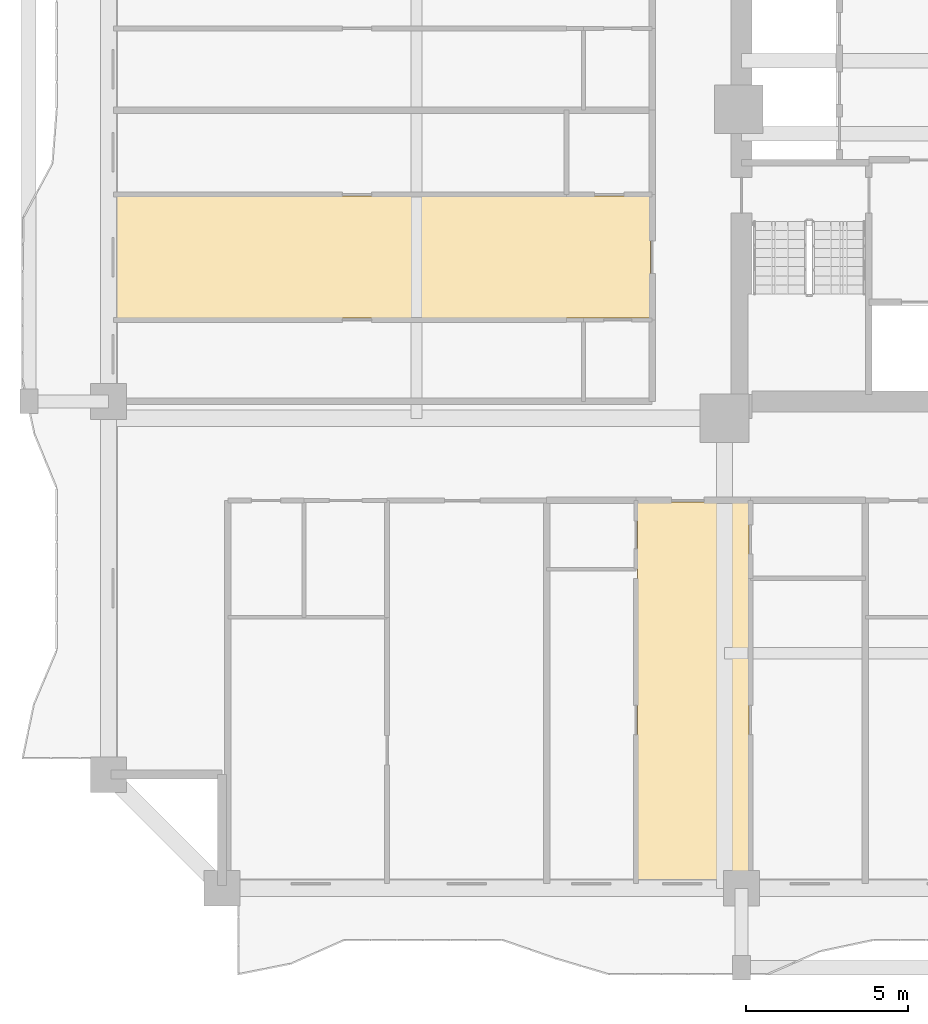
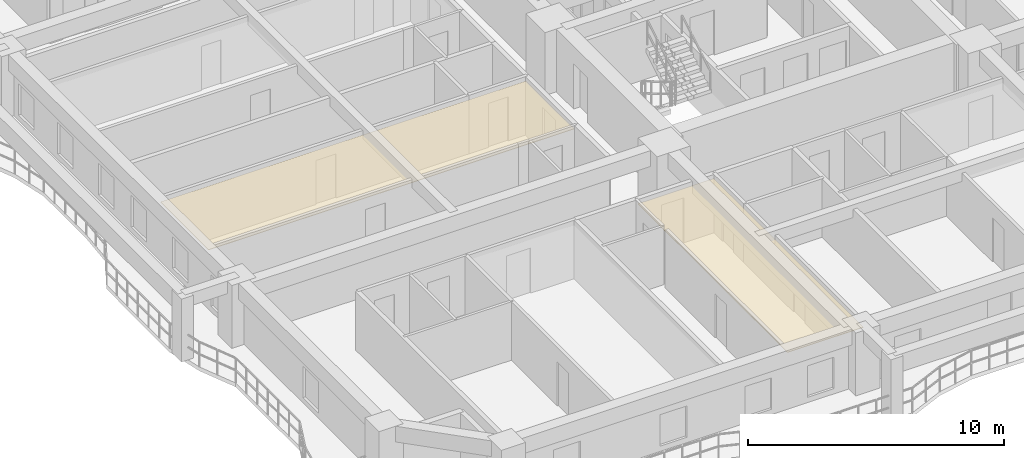
# One storey, part 11 of 15: 2 coverings.
"""IFC4 building model written with IfcOpenShell, lengths in metres."""

from ifc_helpers import new_model, si_unit, direction, frame, origin, place, context, subcontext, project, spatial, polyline, outline, extrude, material, layer, layer_set, type_object, element, save


model = new_model("IFC4")

# Units and contexts
model_context = context("Model", 3, precision=1e-05, world=origin(), true_north=direction((0.0, 1.0)))
body_context = subcontext(model_context, "Body", "Model", "MODEL_VIEW")
ifc_project = project(units=[si_unit("LENGTHUNIT", "METRE"), si_unit("AREAUNIT", "SQUARE_METRE"), si_unit("VOLUMEUNIT", "CUBIC_METRE"), si_unit("PLANEANGLEUNIT", "RADIAN"), si_unit("MASSUNIT", "GRAM", prefix="KILO")], contexts=[model_context])

# Site, building, storey
site_placement = place(None, origin())
site = spatial("IfcSite", under=ifc_project, at=site_placement, CompositionType="ELEMENT")
building_placement = place(site_placement, origin())
building = spatial("IfcBuilding", under=site, at=building_placement, Name="Saelheon Loggia Tower", CompositionType="ELEMENT")
storey_placement = place(building_placement, frame((0.0, 0.0, 49.39990234375)))
storey = spatial("IfcBuildingStorey", under=building, at=storey_placement, Name="L15", CompositionType="ELEMENT", Elevation=49.39990234375)

# Coverings
ifc_material = material(Name="Mineral-Fibre Acoustic Ceiling Board", Category="gypsum")
ifc_layer = layer(ifc_material, 0.02490234375)
ifc_layer_set = layer_set([ifc_layer], Name="Mineral-Fibre Acoustic Ceiling Board")
covering_type = type_object("IfcCoveringType", Name="Cov_Ceiling_Acoustic", PredefinedType="CEILING", material=ifc_layer_set)
covering_1_placement = place(storey_placement, frame((0.0, 0.0, 2.53515625)))
element("IfcCovering", 1, at=covering_1_placement, inside=storey, type_object=covering_type, Name="L15 Acoustic Suspended Ceiling", PredefinedType="CEILING", context=body_context, shape_type="SweptSolid", body=[
    extrude(outline(polyline([(28.300537109375, 3.199951171875), (31.72998046875, 3.199951171875), (31.72998046875, 14.89990234375), (28.300537109375, 14.89990234375), (28.300537109375, 3.199951171875)])), origin(), (0.0, 0.0, 1.0), 0.02490234375),
])
covering_2_placement = place(storey_placement, frame((0.0, 0.0, 2.53515625)))
element("IfcCovering", 2, at=covering_2_placement, inside=storey, type_object=covering_type, Name="L15 Acoustic Suspended Ceiling", PredefinedType="CEILING", context=body_context, shape_type="SweptSolid", body=[
    extrude(outline(polyline([(12.199951171875, 20.56298828125), (28.699951171875, 20.56298828125), (28.699951171875, 24.324951171875), (12.199951171875, 24.324951171875), (12.199951171875, 20.56298828125)])), origin(), (0.0, 0.0, 1.0), 0.02490234375),
])

save(model, "model.ifc")
